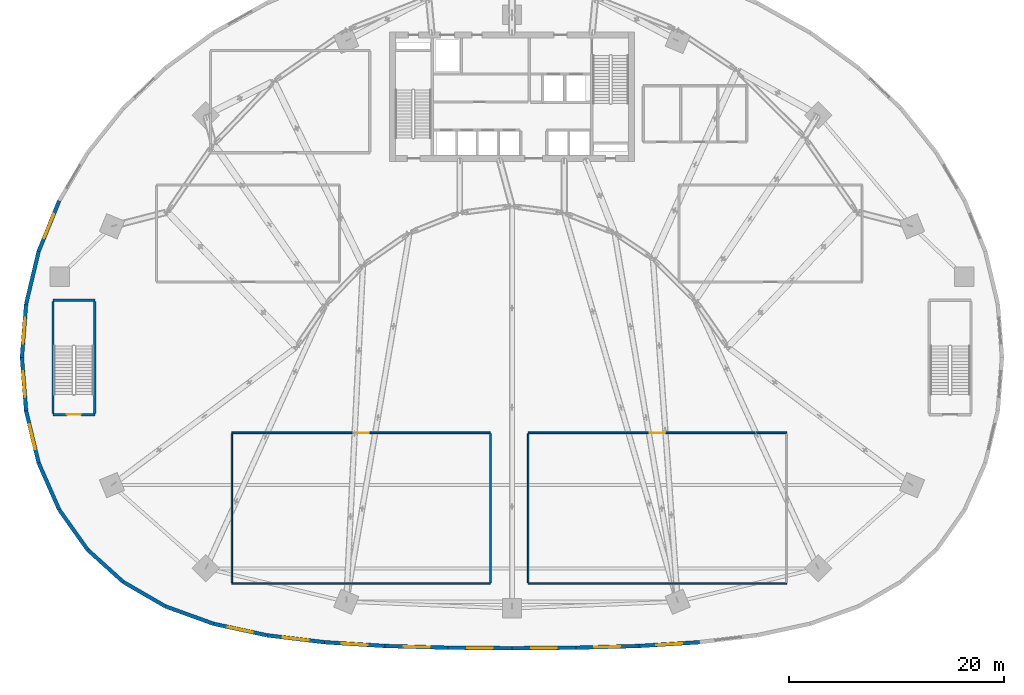
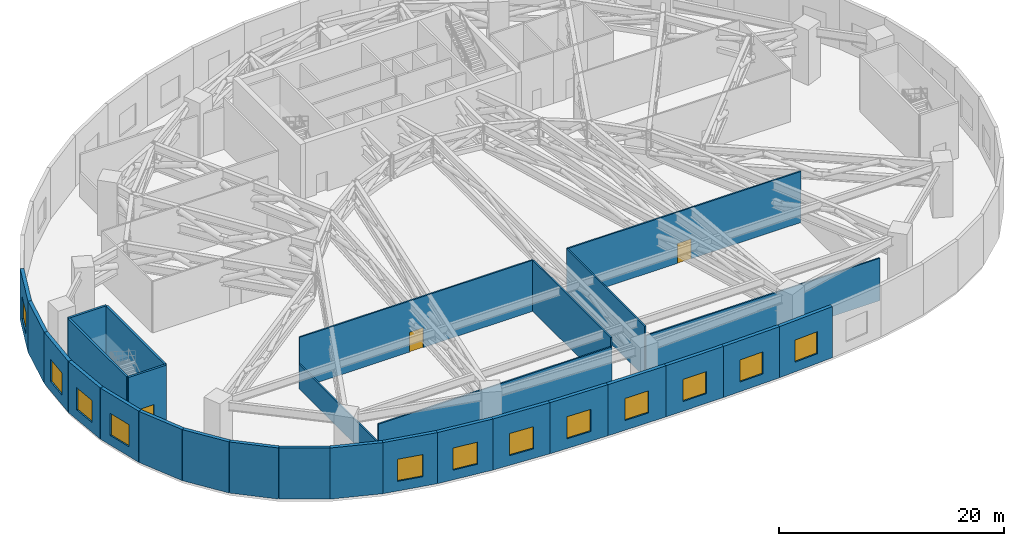
# One storey, part 13 of 19: 29 walls, 12 windows, 3 doors, 15 openings.
"""IFC4 building model written with IfcOpenShell, lengths in metres."""

from ifc_helpers import new_model, si_unit, direction, frame, frame_2d, origin, place, context, subcontext, project, spatial, rectangle, extrude, source, transform, mapped, material, layer, layer_set, type_object, type_shapes, element, fill, save


model = new_model("IFC4")

# Units and contexts
model_context = context("Model", 3, precision=1e-05, world=origin(), true_north=direction((0.0, 1.0)))
body_context = subcontext(model_context, "Body", "Model", "MODEL_VIEW")
ifc_project = project(units=[si_unit("LENGTHUNIT", "METRE"), si_unit("AREAUNIT", "SQUARE_METRE"), si_unit("VOLUMEUNIT", "CUBIC_METRE"), si_unit("PLANEANGLEUNIT", "RADIAN"), si_unit("MASSUNIT", "GRAM", prefix="KILO")], contexts=[model_context])

# Site, building, storey
site_placement = place(None, origin())
site = spatial("IfcSite", under=ifc_project, at=site_placement, CompositionType="ELEMENT")
building_placement = place(site_placement, origin())
building = spatial("IfcBuilding", under=site, at=building_placement, Name="Breltana Convention Tower", CompositionType="ELEMENT")
storey_placement = place(building_placement, frame((0.0, 0.0, 24.0)))
storey = spatial("IfcBuildingStorey", under=building, at=storey_placement, Name="L04", CompositionType="ELEMENT", Elevation=24.0)

# Wall, opening, window
ifc_material_1 = material(Name="Limestone Buff Insulated Wall", Category="masonry")
ifc_layer_1 = layer(ifc_material_1, 0.35009765625, Name="Limestone Buff Insulated Wall")
ifc_layer_set_1 = layer_set([ifc_layer_1], Name="Limestone Buff Insulated Wall")
wall_type_1 = type_object("IfcWallType", Name="WL-EXT-POD-350", PredefinedType="SOLIDWALL", material=ifc_layer_set_1)
shared_shape_1 = source(origin(), body_context, "Body", "SweptSolid", [
    extrude(rectangle(XDim=4.975341796875, YDim=0.35009765625, at=frame_2d((2.48779296875, 0.0))), origin(), (0.0, 0.0, 1.0), 5.550048828125),
])
wall_1_placement = place(storey_placement, frame((2.889404296875, 46.9599609375, 0.0), z_axis=(0.0, 0.0, 1.0), x_axis=(-0.07826870534, -0.996932299489, 0.0)))
wall_1 = element("IfcWall", 1, at=wall_1_placement, inside=storey, type_object=wall_type_1, Name="L04 limestone facade wall 24", PredefinedType="SOLIDWALL", context=body_context, shape_type="MappedRepresentation", body=[
    mapped(shared_shape_1, transform((0.0, 0.0, 0.0), scale=1.0)),
])
opening_1_placement = place(wall_1_placement, frame((1.28759765625, 0.0, 1.050048828125)))
opening_1 = element("IfcOpeningElement", 2, at=opening_1_placement, cuts=wall_1, Name="Opening W-02", PredefinedType="OPENING", context=body_context, shape_type="SweptSolid", body=[
    extrude(rectangle(XDim=2.39990234375, YDim=2.39990234375, at=frame_2d((1.199951171875, 1.199951171875))), frame((0.0, 0.18505859375, 0.0), z_axis=(0.0, -1.0, 0.0), x_axis=(1.0, 0.0, 0.0)), (0.0, 0.0, 1.0), 0.3701171875),
])
ifc_material_2 = material(Name="Glass Low-E Insulated Window", Category="glass")
window_type = type_object("IfcWindowType", Name="WN-POD-2400X2400", PartitioningType="DOUBLE_PANEL_VERTICAL", PredefinedType="WINDOW", material=ifc_material_2)
shared_shape_2 = source(origin(), body_context, "Body", "SweptSolid", [
    extrude(rectangle(XDim=2.39990234375, YDim=2.39990234375, at=frame_2d((1.199951171875, 1.199951171875))), frame((0.0, 0.030029296875, 0.0), z_axis=(0.0, -1.0, 0.0), x_axis=(1.0, 0.0, 0.0)), (0.0, 0.0, 1.0), 0.06005859375),
])
type_shapes(window_type, [shared_shape_2])
window_1_placement = place(opening_1_placement, origin())
window_1 = element("IfcWindow", 3, at=window_1_placement, inside=storey, type_object=window_type, Name="L04 tripartite window 24.1", OverallHeight=2.39990234375, OverallWidth=2.39990234375, PartitioningType="DOUBLE_PANEL_VERTICAL", PredefinedType="WINDOW", context=body_context, shape_type="MappedRepresentation", body=[
    mapped(shared_shape_2, transform((0.0, 0.0, 0.0), scale=1.0)),
])
fill(opening_1, window_1)

wall_2_placement = place(storey_placement, frame((2.5, 42.0, 0.0), z_axis=(0.0, 0.0, 1.0), x_axis=(0.07826870534, -0.996932299489, 0.0)))
wall_2 = element("IfcWall", 4, at=wall_2_placement, inside=storey, type_object=wall_type_1, Name="L04 limestone facade wall 25", PredefinedType="SOLIDWALL", context=body_context, shape_type="MappedRepresentation", body=[
    mapped(shared_shape_1, transform((0.0, 0.0, 0.0), scale=1.0)),
])
opening_2_placement = place(wall_2_placement, frame((1.28759765625, 0.0, 1.050048828125)))
opening_2 = element("IfcOpeningElement", 5, at=opening_2_placement, cuts=wall_2, Name="Opening W-02", PredefinedType="OPENING", context=body_context, shape_type="SweptSolid", body=[
    extrude(rectangle(XDim=2.39990234375, YDim=2.39990234375, at=frame_2d((1.199951171875, 1.199951171875))), frame((0.0, 0.18505859375, 0.0), z_axis=(0.0, -1.0, 0.0), x_axis=(1.0, 0.0, 0.0)), (0.0, 0.0, 1.0), 0.3701171875),
])
window_2_placement = place(opening_2_placement, origin())
window_2 = element("IfcWindow", 6, at=window_2_placement, inside=storey, type_object=window_type, Name="L04 tripartite window 25.1", OverallHeight=2.39990234375, OverallWidth=2.39990234375, PartitioningType="DOUBLE_PANEL_VERTICAL", PredefinedType="WINDOW", context=body_context, shape_type="MappedRepresentation", body=[
    mapped(shared_shape_2, transform((0.0, 0.0, 0.0), scale=1.0)),
])
fill(opening_2, window_2)

# Wall
shared_shape_3 = source(origin(), body_context, "Body", "SweptSolid", [
    extrude(rectangle(XDim=5.011474609375, YDim=0.35009765625, at=frame_2d((2.505859375, 0.0))), origin(), (0.0, 0.0, 1.0), 5.550048828125),
])
wall_3_placement = place(storey_placement, frame((4.05029296875, 51.835205078125, 0.0), z_axis=(0.0, 0.0, 1.0), x_axis=(-0.23164248061, -0.972800987446, 0.0)))
element("IfcWall", 7, at=wall_3_placement, inside=storey, type_object=wall_type_1, Name="L04 limestone facade wall 23", PredefinedType="SOLIDWALL", context=body_context, shape_type="MappedRepresentation", body=[
    mapped(shared_shape_3, transform((0.0, 0.0, 0.0), scale=1.0)),
])

# Wall, opening, window
shared_shape_4 = source(origin(), body_context, "Body", "SweptSolid", [
    extrude(rectangle(XDim=5.080810546875, YDim=0.35009765625, at=frame_2d((2.54052734375, 0.0))), origin(), (0.0, 0.0, 1.0), 5.550048828125),
])
wall_4_placement = place(storey_placement, frame((5.96337890625, 56.5419921875, 0.0), z_axis=(0.0, 0.0, 1.0), x_axis=(-0.376538155573, -0.926401110425, 0.0)))
wall_4 = element("IfcWall", 8, at=wall_4_placement, inside=storey, type_object=wall_type_1, Name="L04 limestone facade wall 22", PredefinedType="SOLIDWALL", context=body_context, shape_type="MappedRepresentation", body=[
    mapped(shared_shape_4, transform((0.0, 0.0, 0.0), scale=1.0)),
])
opening_3_placement = place(wall_4_placement, frame((1.34033203125, 0.0, 1.050048828125)))
opening_3 = element("IfcOpeningElement", 9, at=opening_3_placement, cuts=wall_4, Name="Opening W-02", PredefinedType="OPENING", context=body_context, shape_type="SweptSolid", body=[
    extrude(rectangle(XDim=2.39990234375, YDim=2.39990234375, at=frame_2d((1.199951171875, 1.199951171875))), frame((0.0, 0.18505859375, 0.0), z_axis=(0.0, -1.0, 0.0), x_axis=(1.0, 0.0, 0.0)), (0.0, 0.0, 1.0), 0.3701171875),
])
window_3_placement = place(opening_3_placement, origin())
window_3 = element("IfcWindow", 10, at=window_3_placement, inside=storey, type_object=window_type, Name="L04 tripartite window 22.1", OverallHeight=2.39990234375, OverallWidth=2.39990234375, PartitioningType="DOUBLE_PANEL_VERTICAL", PredefinedType="WINDOW", context=body_context, shape_type="MappedRepresentation", body=[
    mapped(shared_shape_2, transform((0.0, 0.0, 0.0), scale=1.0)),
])
fill(opening_3, window_3)

shared_shape_5 = source(origin(), body_context, "Body", "SweptSolid", [
    extrude(rectangle(XDim=4.968994140625, YDim=0.35009765625, at=frame_2d((2.484375, 0.0))), origin(), (0.0, 0.0, 1.0), 5.550048828125),
])
wall_5_placement = place(storey_placement, frame((2.889404296875, 37.0400390625, 0.0), z_axis=(0.0, 0.0, 1.0), x_axis=(0.233623809029, -0.972327062184, 0.0)))
wall_5 = element("IfcWall", 11, at=wall_5_placement, inside=storey, type_object=wall_type_1, Name="L04 limestone facade wall 26", PredefinedType="SOLIDWALL", context=body_context, shape_type="MappedRepresentation", body=[
    mapped(shared_shape_5, transform((0.0, 0.0, 0.0), scale=1.0)),
])
opening_4_placement = place(wall_5_placement, frame((1.284423828125, 0.0, 1.050048828125)))
opening_4 = element("IfcOpeningElement", 12, at=opening_4_placement, cuts=wall_5, Name="Opening W-02", PredefinedType="OPENING", context=body_context, shape_type="SweptSolid", body=[
    extrude(rectangle(XDim=2.39990234375, YDim=2.39990234375, at=frame_2d((1.199951171875, 1.199951171875))), frame((0.0, 0.18505859375, 0.0), z_axis=(0.0, -1.0, 0.0), x_axis=(1.0, 0.0, 0.0)), (0.0, 0.0, 1.0), 0.3701171875),
])
window_4_placement = place(opening_4_placement, origin())
window_4 = element("IfcWindow", 13, at=window_4_placement, inside=storey, type_object=window_type, Name="L04 tripartite window 26.1", OverallHeight=2.39990234375, OverallWidth=2.39990234375, PartitioningType="DOUBLE_PANEL_VERTICAL", PredefinedType="WINDOW", context=body_context, shape_type="MappedRepresentation", body=[
    mapped(shared_shape_2, transform((0.0, 0.0, 0.0), scale=1.0)),
])
fill(opening_4, window_4)

# Walls
shared_shape_6 = source(origin(), body_context, "Body", "SweptSolid", [
    extrude(rectangle(XDim=4.756103515625, YDim=0.35009765625, at=frame_2d((2.3779296875, 0.0))), origin(), (0.0, 0.0, 1.0), 5.550048828125),
])
wall_6_placement = place(storey_placement, frame((4.05029296875, 32.20849609375, 0.0), z_axis=(0.0, 0.0, 1.0), x_axis=(0.402248274654, -0.915530625123, 0.0)))
element("IfcWall", 14, at=wall_6_placement, inside=storey, type_object=wall_type_1, Name="L04 limestone facade wall 27", PredefinedType="SOLIDWALL", context=body_context, shape_type="MappedRepresentation", body=[
    mapped(shared_shape_6, transform((0.0, 0.0, 0.0), scale=1.0)),
])
shared_shape_7 = source(origin(), body_context, "Body", "SweptSolid", [
    extrude(rectangle(XDim=4.54833984375, YDim=0.35009765625, at=frame_2d((2.274169921875, 0.0))), origin(), (0.0, 0.0, 1.0), 5.550048828125),
])
wall_7_placement = place(storey_placement, frame((5.96337890625, 27.854248046875, 0.0), z_axis=(0.0, 0.0, 1.0), x_axis=(0.578742399763, -0.815510413616, 0.0)))
element("IfcWall", 15, at=wall_7_placement, inside=storey, type_object=wall_type_1, Name="L04 limestone facade wall 28", PredefinedType="SOLIDWALL", context=body_context, shape_type="MappedRepresentation", body=[
    mapped(shared_shape_7, transform((0.0, 0.0, 0.0), scale=1.0)),
])
shared_shape_8 = source(origin(), body_context, "Body", "SweptSolid", [
    extrude(rectangle(XDim=4.458740234375, YDim=0.35009765625, at=frame_2d((2.2294921875, 0.0))), origin(), (0.0, 0.0, 1.0), 5.550048828125),
])
wall_8_placement = place(storey_placement, frame((8.595703125, 24.14501953125, 0.0), z_axis=(0.0, 0.0, 1.0), x_axis=(0.741620092595, -0.670820123625, 0.0)))
element("IfcWall", 16, at=wall_8_placement, inside=storey, type_object=wall_type_1, Name="L04 limestone facade wall 29", PredefinedType="SOLIDWALL", context=body_context, shape_type="MappedRepresentation", body=[
    mapped(shared_shape_8, transform((0.0, 0.0, 0.0), scale=1.0)),
])
shared_shape_9 = source(origin(), body_context, "Body", "SweptSolid", [
    extrude(rectangle(XDim=4.535400390625, YDim=0.35009765625, at=frame_2d((2.267578125, 0.0))), origin(), (0.0, 0.0, 1.0), 5.550048828125),
])
wall_9_placement = place(storey_placement, frame((11.90234375, 21.154052734375, 0.0), z_axis=(0.0, 0.0, 1.0), x_axis=(0.86528620064, -0.501278157295, 0.0)))
element("IfcWall", 17, at=wall_9_placement, inside=storey, type_object=wall_type_1, Name="L04 limestone facade wall 30", PredefinedType="SOLIDWALL", context=body_context, shape_type="MappedRepresentation", body=[
    mapped(shared_shape_9, transform((0.0, 0.0, 0.0), scale=1.0)),
])
shared_shape_10 = source(origin(), body_context, "Body", "SweptSolid", [
    extrude(rectangle(XDim=4.75830078125, YDim=0.35009765625, at=frame_2d((2.379150390625, 0.0))), origin(), (0.0, 0.0, 1.0), 5.550048828125),
])
wall_10_placement = place(storey_placement, frame((15.82666015625, 18.880615234375, 0.0), z_axis=(0.0, 0.0, 1.0), x_axis=(0.940419515454, -0.340016374538, 0.0)))
element("IfcWall", 18, at=wall_10_placement, inside=storey, type_object=wall_type_1, Name="L04 limestone facade wall 31", PredefinedType="SOLIDWALL", context=body_context, shape_type="MappedRepresentation", body=[
    mapped(shared_shape_10, transform((0.0, 0.0, 0.0), scale=1.0)),
])

# Wall, opening, window
shared_shape_11 = source(origin(), body_context, "Body", "SweptSolid", [
    extrude(rectangle(XDim=5.062255859375, YDim=0.35009765625, at=frame_2d((2.53125, 0.0))), origin(), (0.0, 0.0, 1.0), 5.550048828125),
])
wall_11_placement = place(storey_placement, frame((20.301513671875, 17.2626953125, 0.0), z_axis=(0.0, 0.0, 1.0), x_axis=(0.977548321811, -0.210711363066, 0.0)))
wall_11 = element("IfcWall", 19, at=wall_11_placement, inside=storey, type_object=wall_type_1, Name="L04 limestone facade wall 32", PredefinedType="SOLIDWALL", context=body_context, shape_type="MappedRepresentation", body=[
    mapped(shared_shape_11, transform((0.0, 0.0, 0.0), scale=1.0)),
])
opening_5_placement = place(wall_11_placement, frame((1.3310546875, 0.0, 1.050048828125)))
opening_5 = element("IfcOpeningElement", 20, at=opening_5_placement, cuts=wall_11, Name="Opening W-02", PredefinedType="OPENING", context=body_context, shape_type="SweptSolid", body=[
    extrude(rectangle(XDim=2.39990234375, YDim=2.39990234375, at=frame_2d((1.199951171875, 1.199951171875))), frame((0.0, 0.18505859375, 0.0), z_axis=(0.0, -1.0, 0.0), x_axis=(1.0, 0.0, 0.0)), (0.0, 0.0, 1.0), 0.3701171875),
])
window_5_placement = place(opening_5_placement, origin())
window_5 = element("IfcWindow", 21, at=window_5_placement, inside=storey, type_object=window_type, Name="L04 tripartite window 32.1", OverallHeight=2.39990234375, OverallWidth=2.39990234375, PartitioningType="DOUBLE_PANEL_VERTICAL", PredefinedType="WINDOW", context=body_context, shape_type="MappedRepresentation", body=[
    mapped(shared_shape_2, transform((0.0, 0.0, 0.0), scale=1.0)),
])
fill(opening_5, window_5)

shared_shape_12 = source(origin(), body_context, "Body", "SweptSolid", [
    extrude(rectangle(XDim=5.37646484375, YDim=0.35009765625, at=frame_2d((2.688232421875, 0.0))), origin(), (0.0, 0.0, 1.0), 5.550048828125),
])
wall_12_placement = place(storey_placement, frame((25.25, 16.196044921875, 0.0), z_axis=(0.0, 0.0, 1.0), x_axis=(0.992815901624, -0.119651934723, 0.0)))
wall_12 = element("IfcWall", 22, at=wall_12_placement, inside=storey, type_object=wall_type_1, Name="L04 limestone facade wall 33", PredefinedType="SOLIDWALL", context=body_context, shape_type="MappedRepresentation", body=[
    mapped(shared_shape_12, transform((0.0, 0.0, 0.0), scale=1.0)),
])
opening_6_placement = place(wall_12_placement, frame((1.48828125, 0.0, 1.050048828125)))
opening_6 = element("IfcOpeningElement", 23, at=opening_6_placement, cuts=wall_12, Name="Opening W-02", PredefinedType="OPENING", context=body_context, shape_type="SweptSolid", body=[
    extrude(rectangle(XDim=2.39990234375, YDim=2.39990234375, at=frame_2d((1.199951171875, 1.199951171875))), frame((0.0, 0.18505859375, 0.0), z_axis=(0.0, -1.0, 0.0), x_axis=(1.0, 0.0, 0.0)), (0.0, 0.0, 1.0), 0.3701171875),
])
window_6_placement = place(opening_6_placement, origin())
window_6 = element("IfcWindow", 24, at=window_6_placement, inside=storey, type_object=window_type, Name="L04 tripartite window 33.1", OverallHeight=2.39990234375, OverallWidth=2.39990234375, PartitioningType="DOUBLE_PANEL_VERTICAL", PredefinedType="WINDOW", context=body_context, shape_type="MappedRepresentation", body=[
    mapped(shared_shape_2, transform((0.0, 0.0, 0.0), scale=1.0)),
])
fill(opening_6, window_6)

shared_shape_13 = source(origin(), body_context, "Body", "SweptSolid", [
    extrude(rectangle(XDim=5.646484375, YDim=0.35009765625, at=frame_2d((2.8232421875, 0.0))), origin(), (0.0, 0.0, 1.0), 5.550048828125),
])
wall_13_placement = place(storey_placement, frame((30.587890625, 15.552734375, 0.0), z_axis=(0.0, 0.0, 1.0), x_axis=(0.998102723982, -0.061570710403, 0.0)))
wall_13 = element("IfcWall", 25, at=wall_13_placement, inside=storey, type_object=wall_type_1, Name="L04 limestone facade wall 34", PredefinedType="SOLIDWALL", context=body_context, shape_type="MappedRepresentation", body=[
    mapped(shared_shape_13, transform((0.0, 0.0, 0.0), scale=1.0)),
])
opening_7_placement = place(wall_13_placement, frame((1.623291015625, 0.0, 1.050048828125)))
opening_7 = element("IfcOpeningElement", 26, at=opening_7_placement, cuts=wall_13, Name="Opening W-02", PredefinedType="OPENING", context=body_context, shape_type="SweptSolid", body=[
    extrude(rectangle(XDim=2.39990234375, YDim=2.39990234375, at=frame_2d((1.199951171875, 1.199951171875))), frame((0.0, 0.18505859375, 0.0), z_axis=(0.0, -1.0, 0.0), x_axis=(1.0, 0.0, 0.0)), (0.0, 0.0, 1.0), 0.3701171875),
])
window_7_placement = place(opening_7_placement, origin())
window_7 = element("IfcWindow", 27, at=window_7_placement, inside=storey, type_object=window_type, Name="L04 tripartite window 34.1", OverallHeight=2.39990234375, OverallWidth=2.39990234375, PartitioningType="DOUBLE_PANEL_VERTICAL", PredefinedType="WINDOW", context=body_context, shape_type="MappedRepresentation", body=[
    mapped(shared_shape_2, transform((0.0, 0.0, 0.0), scale=1.0)),
])
fill(opening_7, window_7)

wall_14_placement = place(storey_placement, frame((59.7763671875, 15.205078125, 0.0), z_axis=(0.0, 0.0, 1.0), x_axis=(0.998102723982, 0.061570710403, 0.0)))
wall_14 = element("IfcWall", 28, at=wall_14_placement, inside=storey, type_object=wall_type_1, Name="L04 limestone facade wall 39", PredefinedType="SOLIDWALL", context=body_context, shape_type="MappedRepresentation", body=[
    mapped(shared_shape_13, transform((0.0, 0.0, 0.0), scale=1.0)),
])
opening_8_placement = place(wall_14_placement, frame((1.623291015625, 0.0, 1.050048828125)))
opening_8 = element("IfcOpeningElement", 29, at=opening_8_placement, cuts=wall_14, Name="Opening W-02", PredefinedType="OPENING", context=body_context, shape_type="SweptSolid", body=[
    extrude(rectangle(XDim=2.39990234375, YDim=2.39990234375, at=frame_2d((1.199951171875, 1.199951171875))), frame((0.0, 0.18505859375, 0.0), z_axis=(0.0, -1.0, 0.0), x_axis=(1.0, 0.0, 0.0)), (0.0, 0.0, 1.0), 0.3701171875),
])
window_8_placement = place(opening_8_placement, origin())
window_8 = element("IfcWindow", 30, at=window_8_placement, inside=storey, type_object=window_type, Name="L04 tripartite window 39.1", OverallHeight=2.39990234375, OverallWidth=2.39990234375, PartitioningType="DOUBLE_PANEL_VERTICAL", PredefinedType="WINDOW", context=body_context, shape_type="MappedRepresentation", body=[
    mapped(shared_shape_2, transform((0.0, 0.0, 0.0), scale=1.0)),
])
fill(opening_8, window_8)

shared_shape_14 = source(origin(), body_context, "Body", "SweptSolid", [
    extrude(rectangle(XDim=5.839599609375, YDim=0.35009765625, at=frame_2d((2.919921875, 0.0))), origin(), (0.0, 0.0, 1.0), 5.550048828125),
])
wall_15_placement = place(storey_placement, frame((36.2236328125, 15.205078125, 0.0), z_axis=(0.0, 0.0, 1.0), x_axis=(0.999623839291, -0.027425898728, 0.0)))
wall_15 = element("IfcWall", 31, at=wall_15_placement, inside=storey, type_object=wall_type_1, Name="L04 limestone facade wall 35", PredefinedType="SOLIDWALL", context=body_context, shape_type="MappedRepresentation", body=[
    mapped(shared_shape_14, transform((0.0, 0.0, 0.0), scale=1.0)),
])
opening_9_placement = place(wall_15_placement, frame((1.7197265625, 0.0, 1.050048828125)))
opening_9 = element("IfcOpeningElement", 32, at=opening_9_placement, cuts=wall_15, Name="Opening W-02", PredefinedType="OPENING", context=body_context, shape_type="SweptSolid", body=[
    extrude(rectangle(XDim=2.39990234375, YDim=2.39990234375, at=frame_2d((1.199951171875, 1.199951171875))), frame((0.0, 0.18505859375, 0.0), z_axis=(0.0, -1.0, 0.0), x_axis=(1.0, 0.0, 0.0)), (0.0, 0.0, 1.0), 0.3701171875),
])
window_9_placement = place(opening_9_placement, origin())
window_9 = element("IfcWindow", 33, at=window_9_placement, inside=storey, type_object=window_type, Name="L04 tripartite window 35.1", OverallHeight=2.39990234375, OverallWidth=2.39990234375, PartitioningType="DOUBLE_PANEL_VERTICAL", PredefinedType="WINDOW", context=body_context, shape_type="MappedRepresentation", body=[
    mapped(shared_shape_2, transform((0.0, 0.0, 0.0), scale=1.0)),
])
fill(opening_9, window_9)

wall_16_placement = place(storey_placement, frame((53.93896484375, 15.044921875, 0.0), z_axis=(0.0, 0.0, 1.0), x_axis=(0.999623839291, 0.027425898728, 0.0)))
wall_16 = element("IfcWall", 34, at=wall_16_placement, inside=storey, type_object=wall_type_1, Name="L04 limestone facade wall 38", PredefinedType="SOLIDWALL", context=body_context, shape_type="MappedRepresentation", body=[
    mapped(shared_shape_14, transform((0.0, 0.0, 0.0), scale=1.0)),
])
opening_10_placement = place(wall_16_placement, frame((1.7197265625, 0.0, 1.050048828125)))
opening_10 = element("IfcOpeningElement", 35, at=opening_10_placement, cuts=wall_16, Name="Opening W-02", PredefinedType="OPENING", context=body_context, shape_type="SweptSolid", body=[
    extrude(rectangle(XDim=2.39990234375, YDim=2.39990234375, at=frame_2d((1.199951171875, 1.199951171875))), frame((0.0, 0.18505859375, 0.0), z_axis=(0.0, -1.0, 0.0), x_axis=(1.0, 0.0, 0.0)), (0.0, 0.0, 1.0), 0.3701171875),
])
window_10_placement = place(opening_10_placement, origin())
window_10 = element("IfcWindow", 36, at=window_10_placement, inside=storey, type_object=window_type, Name="L04 tripartite window 38.1", OverallHeight=2.39990234375, OverallWidth=2.39990234375, PartitioningType="DOUBLE_PANEL_VERTICAL", PredefinedType="WINDOW", context=body_context, shape_type="MappedRepresentation", body=[
    mapped(shared_shape_2, transform((0.0, 0.0, 0.0), scale=1.0)),
])
fill(opening_10, window_10)

shared_shape_15 = source(origin(), body_context, "Body", "SweptSolid", [
    extrude(rectangle(XDim=5.939208984375, YDim=0.35009765625, at=frame_2d((2.9697265625, 0.0))), origin(), (0.0, 0.0, 1.0), 5.550048828125),
])
wall_17_placement = place(storey_placement, frame((42.06103515625, 15.044921875, 0.0), z_axis=(0.0, 0.0, 1.0), x_axis=(0.999971394759, -0.007563707006, 0.0)))
wall_17 = element("IfcWall", 37, at=wall_17_placement, inside=storey, type_object=wall_type_1, Name="L04 limestone facade wall 36", PredefinedType="SOLIDWALL", context=body_context, shape_type="MappedRepresentation", body=[
    mapped(shared_shape_15, transform((0.0, 0.0, 0.0), scale=1.0)),
])
opening_11_placement = place(wall_17_placement, frame((1.76953125, 0.0, 1.050048828125)))
opening_11 = element("IfcOpeningElement", 38, at=opening_11_placement, cuts=wall_17, Name="Opening W-02", PredefinedType="OPENING", context=body_context, shape_type="SweptSolid", body=[
    extrude(rectangle(XDim=2.39990234375, YDim=2.39990234375, at=frame_2d((1.199951171875, 1.199951171875))), frame((0.0, 0.18505859375, 0.0), z_axis=(0.0, -1.0, 0.0), x_axis=(1.0, 0.0, 0.0)), (0.0, 0.0, 1.0), 0.3701171875),
])
window_11_placement = place(opening_11_placement, origin())
window_11 = element("IfcWindow", 39, at=window_11_placement, inside=storey, type_object=window_type, Name="L04 tripartite window 36.1", OverallHeight=2.39990234375, OverallWidth=2.39990234375, PartitioningType="DOUBLE_PANEL_VERTICAL", PredefinedType="WINDOW", context=body_context, shape_type="MappedRepresentation", body=[
    mapped(shared_shape_2, transform((0.0, 0.0, 0.0), scale=1.0)),
])
fill(opening_11, window_11)

wall_18_placement = place(storey_placement, frame((48.0, 15.0, 0.0), z_axis=(0.0, 0.0, 1.0), x_axis=(0.999971394759, 0.007563707006, 0.0)))
wall_18 = element("IfcWall", 40, at=wall_18_placement, inside=storey, type_object=wall_type_1, Name="L04 limestone facade wall 37", PredefinedType="SOLIDWALL", context=body_context, shape_type="MappedRepresentation", body=[
    mapped(shared_shape_15, transform((0.0, 0.0, 0.0), scale=1.0)),
])
opening_12_placement = place(wall_18_placement, frame((1.76953125, 0.0, 1.050048828125)))
opening_12 = element("IfcOpeningElement", 41, at=opening_12_placement, cuts=wall_18, Name="Opening W-02", PredefinedType="OPENING", context=body_context, shape_type="SweptSolid", body=[
    extrude(rectangle(XDim=2.39990234375, YDim=2.39990234375, at=frame_2d((1.199951171875, 1.199951171875))), frame((0.0, 0.18505859375, 0.0), z_axis=(0.0, -1.0, 0.0), x_axis=(1.0, 0.0, 0.0)), (0.0, 0.0, 1.0), 0.3701171875),
])
window_12_placement = place(opening_12_placement, origin())
window_12 = element("IfcWindow", 42, at=window_12_placement, inside=storey, type_object=window_type, Name="L04 tripartite window 37.1", OverallHeight=2.39990234375, OverallWidth=2.39990234375, PartitioningType="DOUBLE_PANEL_VERTICAL", PredefinedType="WINDOW", context=body_context, shape_type="MappedRepresentation", body=[
    mapped(shared_shape_2, transform((0.0, 0.0, 0.0), scale=1.0)),
])
fill(opening_12, window_12)

# Wall, opening, door
ifc_material_3 = material(Name="Concrete C40/50", Category="concrete")
ifc_layer_2 = layer(ifc_material_3, 0.219970703125, Name="Concrete C40/50")
ifc_layer_set_2 = layer_set([ifc_layer_2], Name="Concrete C40/50")
wall_type_2 = type_object("IfcWallType", Name="WL-SHAFT-220", PredefinedType="SOLIDWALL", material=ifc_layer_set_2)
shared_shape_16 = source(origin(), body_context, "Body", "SweptSolid", [
    extrude(rectangle(XDim=3.89013671875, YDim=0.219970703125, at=frame_2d((1.945068359375, 0.0))), origin(), (0.0, 0.0, 1.0), 6.0),
])
wall_19_placement = place(storey_placement, frame((5.389892578125, 36.68994140625, 0.0), z_axis=(0.0, 0.0, 1.0), x_axis=(1.0, 0.0, 0.0)))
wall_19 = element("IfcWall", 43, at=wall_19_placement, inside=storey, type_object=wall_type_2, Name="L04 interior partition W-L04-ST3-S", PredefinedType="SOLIDWALL", context=body_context, shape_type="MappedRepresentation", body=[
    mapped(shared_shape_16, transform((0.0, 0.0, 0.0), scale=1.0)),
])
opening_13_placement = place(wall_19_placement, frame((1.294921875, 0.0, 0.0)))
opening_13 = element("IfcOpeningElement", 44, at=opening_13_placement, cuts=wall_19, Name="Opening D-08", PredefinedType="OPENING", context=body_context, shape_type="SweptSolid", body=[
    extrude(rectangle(XDim=1.300048828125, YDim=2.14990234375, at=frame_2d((0.64990234375, 1.074951171875))), frame((0.0, 0.1201171875, 0.0), z_axis=(0.0, -1.0, 0.0), x_axis=(1.0, 0.0, 0.0)), (0.0, 0.0, 1.0), 0.239990234375),
])
ifc_material_4 = material(Name="Steel Fire Exit Door", Category="steel")
door_type_1 = type_object("IfcDoorType", Name="DR-FD120-1300", OperationType="NOTDEFINED", PredefinedType="DOOR", material=ifc_material_4)
shared_shape_17 = source(origin(), body_context, "Body", "SweptSolid", [
    extrude(rectangle(XDim=1.300048828125, YDim=2.14990234375, at=frame_2d((0.64990234375, 1.074951171875))), frame((0.0, 0.02490234375, 0.0), z_axis=(0.0, -1.0, 0.0), x_axis=(1.0, 0.0, 0.0)), (0.0, 0.0, 1.0), 0.050048828125),
])
type_shapes(door_type_1, [shared_shape_17])
door_1_placement = place(opening_13_placement, origin())
door_1 = element("IfcDoor", 45, at=door_1_placement, inside=storey, type_object=door_type_1, Name="L04 interior door D-L04-ST3", OperationType="SINGLE_SWING_LEFT", OverallHeight=2.14990234375, OverallWidth=1.300048828125, PredefinedType="DOOR", context=body_context, shape_type="MappedRepresentation", body=[
    mapped(shared_shape_17, transform((0.0, 0.0, 0.0), scale=1.0)),
])
fill(opening_13, door_1)

# Walls
wall_20_placement = place(storey_placement, frame((5.389892578125, 47.31005859375, 0.0), z_axis=(0.0, 0.0, 1.0), x_axis=(1.0, 0.0, 0.0)))
element("IfcWall", 46, at=wall_20_placement, inside=storey, type_object=wall_type_2, Name="L04 interior partition W-L04-ST3-N", PredefinedType="SOLIDWALL", context=body_context, shape_type="MappedRepresentation", body=[
    mapped(shared_shape_16, transform((0.0, 0.0, 0.0), scale=1.0)),
])
shared_shape_18 = source(origin(), body_context, "Body", "SweptSolid", [
    extrude(rectangle(XDim=10.3798828125, YDim=0.219970703125, at=frame_2d((5.18994140625, 0.0))), origin(), (0.0, 0.0, 1.0), 6.0),
])
for number, where, z_axis, x_axis, name in (
    (47, (5.389892578125, 36.81005859375, 0.0), (0.0, 0.0, 1.0), (0.0, 1.0, 0.0), "L04 interior partition W-L04-ST3-W"),
    (48, (9.280029296875, 36.81005859375, 0.0), (0.0, 0.0, 1.0), (0.0, 1.0, 0.0), "L04 interior partition W-L04-ST3-E"),
):
    element("IfcWall", number, at=place(storey_placement, frame(where, z_axis=z_axis, x_axis=x_axis)), inside=storey, type_object=wall_type_2, Name=name, PredefinedType="SOLIDWALL", context=body_context, shape_type="MappedRepresentation", body=[
        mapped(shared_shape_18, transform((0.0, 0.0, 0.0), scale=1.0)),
    ])
ifc_material_5 = material(Name="Gypsum Acoustic Drywall Partition")
ifc_layer_3 = layer(ifc_material_5, 0.14990234375, Name="Gypsum Acoustic Drywall Partition")
ifc_layer_set_3 = layer_set([ifc_layer_3], Name="Gypsum Acoustic Drywall Partition")
wall_type_3 = type_object("IfcWallType", Name="WL-PART-150", PredefinedType="PARTITIONING", material=ifc_layer_set_3)
shared_shape_19 = source(origin(), body_context, "Body", "SweptSolid", [
    extrude(rectangle(XDim=24.0, YDim=0.14990234375, at=frame_2d((12.0, 0.0))), origin(), (0.0, 0.0, 1.0), 4.611083984375),
])
for number, where, z_axis, x_axis, name in (
    (49, (22.0, 21.0, 0.0), (0.0, 0.0, 1.0), (1.0, 0.0, 0.0), "L04 interior partition W-L04-BRD1-S"),
    (50, (49.5, 21.0, 0.0), (0.0, 0.0, 1.0), (1.0, 0.0, 0.0), "L04 interior partition W-L04-BRD2-S"),
):
    element("IfcWall", number, at=place(storey_placement, frame(where, z_axis=z_axis, x_axis=x_axis)), inside=storey, type_object=wall_type_3, Name=name, PredefinedType="PARTITIONING", context=body_context, shape_type="MappedRepresentation", body=[
        mapped(shared_shape_19, transform((0.0, 0.0, 0.0), scale=1.0)),
    ])

# Wall, opening, door
shared_shape_20 = source(origin(), body_context, "Body", "SweptSolid", [
    extrude(rectangle(XDim=24.0, YDim=0.14990234375, at=frame_2d((12.0, 0.0))), origin(), (0.0, 0.0, 1.0), 5.550048828125),
])
wall_21_placement = place(storey_placement, frame((22.0, 35.0, 0.0), z_axis=(0.0, 0.0, 1.0), x_axis=(1.0, 0.0, 0.0)))
wall_21 = element("IfcWall", 51, at=wall_21_placement, inside=storey, type_object=wall_type_3, Name="L04 interior partition W-L04-BRD1-N", PredefinedType="PARTITIONING", context=body_context, shape_type="MappedRepresentation", body=[
    mapped(shared_shape_20, transform((0.0, 0.0, 0.0), scale=1.0)),
])
opening_14_placement = place(wall_21_placement, frame((11.300048828125, 0.0, 0.0)))
opening_14 = element("IfcOpeningElement", 52, at=opening_14_placement, cuts=wall_21, Name="Opening D-05", PredefinedType="OPENING", context=body_context, shape_type="SweptSolid", body=[
    extrude(rectangle(XDim=1.39990234375, YDim=2.14990234375, at=frame_2d((0.699951171875, 1.074951171875))), frame((0.0, 0.0849609375, 0.0), z_axis=(0.0, -1.0, 0.0), x_axis=(1.0, 0.0, 0.0)), (0.0, 0.0, 1.0), 0.169921875),
])
ifc_material_6 = material(Name="Timber Veneer Glazed Double Door", Category="wood")
door_type_2 = type_object("IfcDoorType", Name="DR-DBL-1400", OperationType="DOUBLE_DOOR_SINGLE_SWING", PredefinedType="DOOR", material=ifc_material_6)
shared_shape_21 = source(origin(), body_context, "Body", "SweptSolid", [
    extrude(rectangle(XDim=1.39990234375, YDim=2.14990234375, at=frame_2d((0.699951171875, 1.074951171875))), frame((0.0, 0.02490234375, 0.0), z_axis=(0.0, -1.0, 0.0), x_axis=(1.0, 0.0, 0.0)), (0.0, 0.0, 1.0), 0.050048828125),
])
type_shapes(door_type_2, [shared_shape_21])
door_2_placement = place(opening_14_placement, origin())
door_2 = element("IfcDoor", 53, at=door_2_placement, inside=storey, type_object=door_type_2, Name="L04 interior door D-L04-BRD1", OperationType="SINGLE_SWING_LEFT", OverallHeight=2.14990234375, OverallWidth=1.39990234375, PredefinedType="DOOR", context=body_context, shape_type="MappedRepresentation", body=[
    mapped(shared_shape_21, transform((0.0, 0.0, 0.0), scale=1.0)),
])
fill(opening_14, door_2)

wall_22_placement = place(storey_placement, frame((49.5, 35.0, 0.0), z_axis=(0.0, 0.0, 1.0), x_axis=(1.0, 0.0, 0.0)))
wall_22 = element("IfcWall", 54, at=wall_22_placement, inside=storey, type_object=wall_type_3, Name="L04 interior partition W-L04-BRD2-N", PredefinedType="PARTITIONING", context=body_context, shape_type="MappedRepresentation", body=[
    mapped(shared_shape_20, transform((0.0, 0.0, 0.0), scale=1.0)),
])
opening_15_placement = place(wall_22_placement, frame((11.300048828125, 0.0, 0.0)))
opening_15 = element("IfcOpeningElement", 55, at=opening_15_placement, cuts=wall_22, Name="Opening D-05", PredefinedType="OPENING", context=body_context, shape_type="SweptSolid", body=[
    extrude(rectangle(XDim=1.39990234375, YDim=2.14990234375, at=frame_2d((0.699951171875, 1.074951171875))), frame((0.0, 0.0849609375, 0.0), z_axis=(0.0, -1.0, 0.0), x_axis=(1.0, 0.0, 0.0)), (0.0, 0.0, 1.0), 0.169921875),
])
door_3_placement = place(opening_15_placement, origin())
door_3 = element("IfcDoor", 56, at=door_3_placement, inside=storey, type_object=door_type_2, Name="L04 interior door D-L04-BRD2", OperationType="SINGLE_SWING_RIGHT", OverallHeight=2.14990234375, OverallWidth=1.39990234375, PredefinedType="DOOR", context=body_context, shape_type="MappedRepresentation", body=[
    mapped(shared_shape_21, transform((0.0, 0.0, 0.0), scale=1.0)),
])
fill(opening_15, door_3)

# Walls
shared_shape_22 = source(origin(), body_context, "Body", "SweptSolid", [
    extrude(rectangle(XDim=13.865234375, YDim=0.14990234375, at=frame_2d((6.9326171875, 0.0))), origin(), (0.0, 0.0, 1.0), 2.659912109375),
])
wall_23_placement = place(storey_placement, frame((22.0, 21.0673828125, 0.0), z_axis=(0.0, 0.0, 1.0), x_axis=(0.0, 1.0, 0.0)))
element("IfcWall", 57, at=wall_23_placement, inside=storey, type_object=wall_type_3, Name="L04 interior partition W-L04-BRD1-W", PredefinedType="PARTITIONING", context=body_context, shape_type="MappedRepresentation", body=[
    mapped(shared_shape_22, transform((0.0, 0.0, 0.0), scale=1.0)),
])
shared_shape_23 = source(origin(), body_context, "Body", "SweptSolid", [
    extrude(rectangle(XDim=13.865234375, YDim=0.14990234375, at=frame_2d((6.9326171875, 0.0))), origin(), (0.0, 0.0, 1.0), 5.550048828125),
])
for number, where, z_axis, x_axis, name in (
    (58, (46.0, 21.0673828125, 0.0), (0.0, 0.0, 1.0), (0.0, 1.0, 0.0), "L04 interior partition W-L04-BRD1-E"),
    (59, (49.5, 21.0673828125, 0.0), (0.0, 0.0, 1.0), (0.0, 1.0, 0.0), "L04 interior partition W-L04-BRD2-W"),
):
    element("IfcWall", number, at=place(storey_placement, frame(where, z_axis=z_axis, x_axis=x_axis)), inside=storey, type_object=wall_type_3, Name=name, PredefinedType="PARTITIONING", context=body_context, shape_type="MappedRepresentation", body=[
        mapped(shared_shape_23, transform((0.0, 0.0, 0.0), scale=1.0)),
    ])

save(model, "model.ifc")
